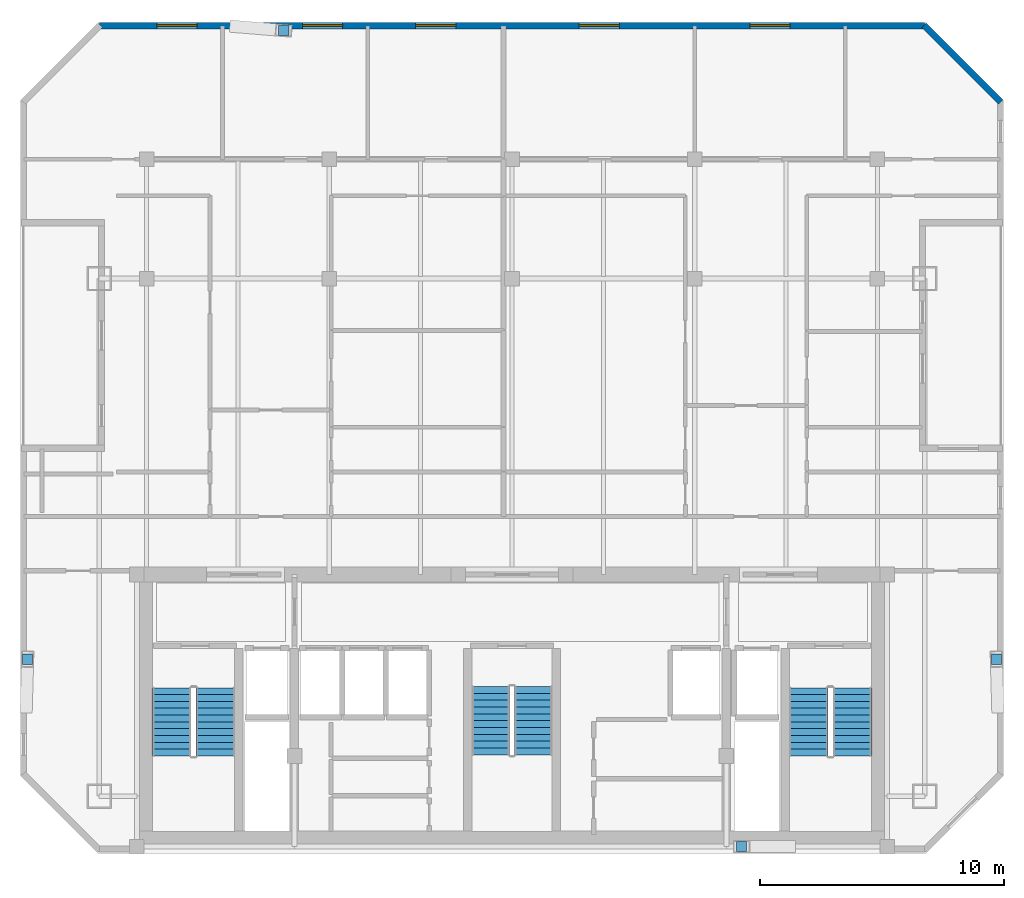
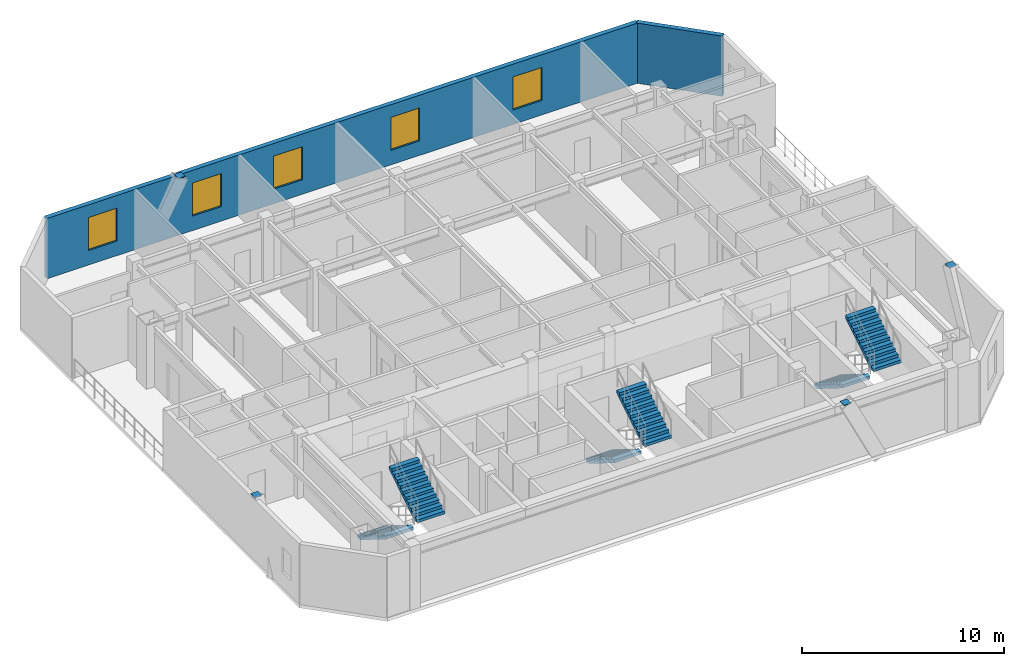
# One storey, part 6 of 7: 6 stair flights, 5 windows, 4 discrete accessories, 2 walls, 5 openings, 3 elements without a shape of their own.
"""IFC4 building model written with IfcOpenShell, lengths in metres."""

from ifc_helpers import new_model, si_unit, direction, frame, frame_2d, origin, origin_2d, place, context, subcontext, project, spatial, polyline, rectangle, outline, extrude, material, layer, layer_set, type_object, element, fill, aggregate, save


model = new_model("IFC4")

# Units and contexts
model_context = context("Model", 3, precision=1e-05, world=origin(), true_north=direction((0.0, 1.0)))
body_context = subcontext(model_context, "Body", "Model", "MODEL_VIEW")
ifc_project = project(units=[si_unit("LENGTHUNIT", "METRE"), si_unit("AREAUNIT", "SQUARE_METRE"), si_unit("VOLUMEUNIT", "CUBIC_METRE"), si_unit("PLANEANGLEUNIT", "RADIAN"), si_unit("MASSUNIT", "GRAM", prefix="KILO")], contexts=[model_context])

# Site, building, storey
site_placement = place(None, origin())
site = spatial("IfcSite", under=ifc_project, at=site_placement, CompositionType="ELEMENT")
building_placement = place(site_placement, origin())
building = spatial("IfcBuilding", under=site, at=building_placement, Name="Ventersveld Concourse Tower", CompositionType="ELEMENT")
storey_placement = place(building_placement, frame((0.0, 0.0, 292.60009765625)))
storey = spatial("IfcBuildingStorey", under=building, at=storey_placement, Name="L72", CompositionType="ELEMENT", Elevation=292.60009765625)

# Wall
ifc_material_1 = material(Name="Precast concrete C45/55", Category="concrete")
ifc_layer = layer(ifc_material_1, 0.260009765625)
ifc_layer_set = layer_set([ifc_layer], Name="Precast concrete C45/55")
wall_type = type_object("IfcWallType", Name="WL-PREC-260", PredefinedType="SOLIDWALL", material=ifc_layer_set)
wall_1_placement = place(storey_placement, frame((48.8134765625, 30.85205078125, 0.0), z_axis=(0.0, 0.0, 1.0), x_axis=(-0.707134240044, 0.707079321262, 0.0)))
element("IfcWall", 1, at=wall_1_placement, inside=storey, type_object=wall_type, Name="L72 Highveld Precast Facade Wall E08", PredefinedType="SOLIDWALL", context=body_context, shape_type="SweptSolid", body=[
    extrude(rectangle(XDim=4.445556640625, YDim=0.260009765625, at=frame_2d((2.22265625, 0.0))), origin(), (0.0, 0.0, 1.0), 3.64990234375),
])

# Wall, openings, windows
wall_2_placement = place(storey_placement, frame((45.693603515625, 33.985595703125, 0.0), z_axis=(0.0, 0.0, 1.0), x_axis=(-1.0, 0.0, 0.0)))
wall_2 = element("IfcWall", 2, at=wall_2_placement, inside=storey, type_object=wall_type, Name="L72 Highveld Precast Facade Wall E09", PredefinedType="SOLIDWALL", context=body_context, shape_type="SweptSolid", body=[
    extrude(rectangle(XDim=33.88720703125, YDim=0.260009765625, at=frame_2d((16.943603515625, 0.0))), origin(), (0.0, 0.0, 1.0), 3.64990234375),
])
opening_1_placement = place(wall_2_placement, frame((29.868408203125, 0.0, 0.8798828125)))
opening_1 = element("IfcOpeningElement", 3, at=opening_1_placement, cuts=wall_2, Name="Opening W6", PredefinedType="OPENING", context=body_context, shape_type="SweptSolid", body=[
    extrude(rectangle(XDim=1.64990234375, YDim=2.0, at=frame_2d((0.824951171875, 1.0))), frame((0.0, 0.14013671875, 0.0), z_axis=(0.0, -1.0, 0.0), x_axis=(1.0, 0.0, 0.0)), (0.0, 0.0, 1.0), 0.280029296875),
])
opening_2_placement = place(wall_2_placement, frame((23.8935546875, 0.0, 0.8798828125)))
opening_2 = element("IfcOpeningElement", 4, at=opening_2_placement, cuts=wall_2, Name="Opening W6", PredefinedType="OPENING", context=body_context, shape_type="SweptSolid", body=[
    extrude(rectangle(XDim=1.64990234375, YDim=2.0, at=frame_2d((0.824951171875, 1.0))), frame((0.0, 0.14013671875, 0.0), z_axis=(0.0, -1.0, 0.0), x_axis=(1.0, 0.0, 0.0)), (0.0, 0.0, 1.0), 0.280029296875),
])
opening_3_placement = place(wall_2_placement, frame((19.25048828125, 0.0, 0.8798828125)))
opening_3 = element("IfcOpeningElement", 5, at=opening_3_placement, cuts=wall_2, Name="Opening W6", PredefinedType="OPENING", context=body_context, shape_type="SweptSolid", body=[
    extrude(rectangle(XDim=1.64990234375, YDim=2.0, at=frame_2d((0.824951171875, 1.0))), frame((0.0, 0.14013671875, 0.0), z_axis=(0.0, -1.0, 0.0), x_axis=(1.0, 0.0, 0.0)), (0.0, 0.0, 1.0), 0.280029296875),
])
opening_4_placement = place(wall_2_placement, frame((12.539794921875, 0.0, 0.8798828125)))
opening_4 = element("IfcOpeningElement", 6, at=opening_4_placement, cuts=wall_2, Name="Opening W6", PredefinedType="OPENING", context=body_context, shape_type="SweptSolid", body=[
    extrude(rectangle(XDim=1.64990234375, YDim=2.0, at=frame_2d((0.824951171875, 1.0))), frame((0.0, 0.14013671875, 0.0), z_axis=(0.0, -1.0, 0.0), x_axis=(1.0, 0.0, 0.0)), (0.0, 0.0, 1.0), 0.280029296875),
])
opening_5_placement = place(wall_2_placement, frame((5.529296875, 0.0, 0.8798828125)))
opening_5 = element("IfcOpeningElement", 7, at=opening_5_placement, cuts=wall_2, Name="Opening W6", PredefinedType="OPENING", context=body_context, shape_type="SweptSolid", body=[
    extrude(rectangle(XDim=1.64990234375, YDim=2.0, at=frame_2d((0.824951171875, 1.0))), frame((0.0, 0.14013671875, 0.0), z_axis=(0.0, -1.0, 0.0), x_axis=(1.0, 0.0, 0.0)), (0.0, 0.0, 1.0), 0.280029296875),
])
ifc_material_2 = material(Name="Tempered acoustic Low-E IGU", Category="glass")
window_type = type_object("IfcWindowType", Name="WIN-165x200", PartitioningType="SINGLE_PANEL", PredefinedType="WINDOW", material=ifc_material_2)
window_1_placement = place(opening_1_placement, origin())
window_1 = element("IfcWindow", 8, at=window_1_placement, inside=storey, type_object=window_type, Name="L72 Punched Low-E Window W-1026", OverallHeight=2.0, OverallWidth=1.64990234375, PartitioningType="SINGLE_PANEL", PredefinedType="WINDOW", context=body_context, shape_type="SweptSolid", body=[
    extrude(rectangle(XDim=1.64990234375, YDim=2.0, at=frame_2d((0.824951171875, 1.0))), frame((0.0, 0.030029296875, 0.0), z_axis=(0.0, -1.0, 0.0), x_axis=(1.0, 0.0, 0.0)), (0.0, 0.0, 1.0), 0.06005859375),
])
fill(opening_1, window_1)
window_2_placement = place(opening_2_placement, origin())
window_2 = element("IfcWindow", 9, at=window_2_placement, inside=storey, type_object=window_type, Name="L72 Punched Low-E Window W-1027", OverallHeight=2.0, OverallWidth=1.64990234375, PartitioningType="SINGLE_PANEL", PredefinedType="WINDOW", context=body_context, shape_type="SweptSolid", body=[
    extrude(rectangle(XDim=1.64990234375, YDim=2.0, at=frame_2d((0.824951171875, 1.0))), frame((0.0, 0.030029296875, 0.0), z_axis=(0.0, -1.0, 0.0), x_axis=(1.0, 0.0, 0.0)), (0.0, 0.0, 1.0), 0.06005859375),
])
fill(opening_2, window_2)
window_3_placement = place(opening_3_placement, origin())
window_3 = element("IfcWindow", 10, at=window_3_placement, inside=storey, type_object=window_type, Name="L72 Punched Low-E Window W-1028", OverallHeight=2.0, OverallWidth=1.64990234375, PartitioningType="SINGLE_PANEL", PredefinedType="WINDOW", context=body_context, shape_type="SweptSolid", body=[
    extrude(rectangle(XDim=1.64990234375, YDim=2.0, at=frame_2d((0.824951171875, 1.0))), frame((0.0, 0.030029296875, 0.0), z_axis=(0.0, -1.0, 0.0), x_axis=(1.0, 0.0, 0.0)), (0.0, 0.0, 1.0), 0.06005859375),
])
fill(opening_3, window_3)
window_4_placement = place(opening_4_placement, origin())
window_4 = element("IfcWindow", 11, at=window_4_placement, inside=storey, type_object=window_type, Name="L72 Punched Low-E Window W-1032", OverallHeight=2.0, OverallWidth=1.64990234375, PartitioningType="SINGLE_PANEL", PredefinedType="WINDOW", context=body_context, shape_type="SweptSolid", body=[
    extrude(rectangle(XDim=1.64990234375, YDim=2.0, at=frame_2d((0.824951171875, 1.0))), frame((0.0, 0.030029296875, 0.0), z_axis=(0.0, -1.0, 0.0), x_axis=(1.0, 0.0, 0.0)), (0.0, 0.0, 1.0), 0.06005859375),
])
fill(opening_4, window_4)
window_5_placement = place(opening_5_placement, origin())
window_5 = element("IfcWindow", 12, at=window_5_placement, inside=storey, type_object=window_type, Name="L72 Punched Low-E Window W-1033", OverallHeight=2.0, OverallWidth=1.64990234375, PartitioningType="SINGLE_PANEL", PredefinedType="WINDOW", context=body_context, shape_type="SweptSolid", body=[
    extrude(rectangle(XDim=1.64990234375, YDim=2.0, at=frame_2d((0.824951171875, 1.0))), frame((0.0, 0.030029296875, 0.0), z_axis=(0.0, -1.0, 0.0), x_axis=(1.0, 0.0, 0.0)), (0.0, 0.0, 1.0), 0.06005859375),
])
fill(opening_5, window_5)

# Stair, stair flights
ifc_material_3 = material(Name="Concrete C50/60", Category="concrete")
stair_type_1 = type_object("IfcStairType", Name="ST-DOG-155", PredefinedType="HALF_TURN_STAIR", material=ifc_material_3)
stair_1_placement = place(storey_placement, origin())
stair_1 = element("IfcStair", 13, at=stair_1_placement, inside=storey, type_object=stair_type_1, Name="L72 Protected Central Core Escape Stair ST-03", PredefinedType="HALF_TURN_STAIR")
stair_flight_type_1 = type_object("IfcStairFlightType", Name="STF-RC-155", PredefinedType="STRAIGHT", material=ifc_material_3)
stair_flight_1_placement = place(storey_placement, frame((27.875, 6.85009765625, 0.0), z_axis=(0.0, 0.0, 1.0), x_axis=(0.0, -1.0, 0.0)))
stair_flight_1 = element("IfcStairFlight", 14, at=stair_flight_1_placement, type_object=stair_flight_type_1, Name="ST-03 flight 1", NumberOfRisers=11, NumberOfTreads=10, PredefinedType="STRAIGHT", RiserHeight=0.175, TreadLength=0.28, context=body_context, shape_type="SweptSolid", body=[
    extrude(outline(polyline([(0.0, 0.0), (0.0, 0.175048828125), (0.280029296875, 0.175048828125), (0.280029296875, 0.35009765625), (0.56005859375, 0.35009765625), (0.56005859375, 0.52490234375), (0.840087890625, 0.52490234375), (0.840087890625, 0.699951171875), (1.1201171875, 0.699951171875), (1.1201171875, 0.875), (1.39990234375, 0.875), (1.39990234375, 1.050048828125), (1.679931640625, 1.050048828125), (1.679931640625, 1.22509765625), (1.9599609375, 1.22509765625), (1.9599609375, 1.39990234375), (2.239990234375, 1.39990234375), (2.239990234375, 1.574951171875), (2.52001953125, 1.574951171875), (2.52001953125, 1.75), (2.800048828125, 1.75), (2.800048828125, 1.925048828125), (2.800048828125, 1.5732421875), (0.28271484375, 0.0), (0.0, 0.0)])), frame((0.0, 0.77490234375, 0.0), z_axis=(0.0, -1.0, 0.0), x_axis=(1.0, 0.0, 0.0)), (0.0, 0.0, 1.0), 1.550048828125),
])
stair_flight_2_placement = place(storey_placement, frame((29.625, 4.050048828125, 1.9248046875), z_axis=(0.0, 0.0, 1.0), x_axis=(0.0, 1.0, 0.0)))
stair_flight_2 = element("IfcStairFlight", 15, at=stair_flight_2_placement, type_object=stair_flight_type_1, Name="ST-03 flight 2", NumberOfRisers=11, NumberOfTreads=10, PredefinedType="STRAIGHT", RiserHeight=0.175, TreadLength=0.28, context=body_context, shape_type="SweptSolid", body=[
    extrude(outline(polyline([(0.0, 0.0), (0.0, 0.175048828125), (0.280029296875, 0.175048828125), (0.280029296875, 0.35009765625), (0.56005859375, 0.35009765625), (0.56005859375, 0.52490234375), (0.840087890625, 0.52490234375), (0.840087890625, 0.699951171875), (1.1201171875, 0.699951171875), (1.1201171875, 0.875), (1.39990234375, 0.875), (1.39990234375, 1.050048828125), (1.679931640625, 1.050048828125), (1.679931640625, 1.22509765625), (1.9599609375, 1.22509765625), (1.9599609375, 1.39990234375), (2.239990234375, 1.39990234375), (2.239990234375, 1.574951171875), (2.52001953125, 1.574951171875), (2.52001953125, 1.75), (2.800048828125, 1.75), (2.800048828125, 1.925048828125), (2.800048828125, 1.5732421875), (0.28271484375, 0.0), (0.0, 0.0)])), frame((0.0, 0.77490234375, 0.0), z_axis=(0.0, -1.0, 0.0), x_axis=(1.0, 0.0, 0.0)), (0.0, 0.0, 1.0), 1.550048828125),
])
aggregate(stair_1, [stair_flight_1, stair_flight_2])

stair_type_2 = type_object("IfcStairType", Name="ST-DOG-160", PredefinedType="HALF_TURN_STAIR", material=ifc_material_3)
stair_2_placement = place(storey_placement, origin())
stair_2 = element("IfcStair", 16, at=stair_2_placement, inside=storey, type_object=stair_type_2, Name="L72 Protected Tower Escape Stair ST-01", PredefinedType="HALF_TURN_STAIR")
stair_flight_type_2 = type_object("IfcStairFlightType", Name="STF-RC-160", PredefinedType="STRAIGHT", material=ifc_material_3)
stair_flight_3_placement = place(storey_placement, frame((14.780029296875, 6.800048828125, 0.0), z_axis=(0.0, 0.0, 1.0), x_axis=(0.0, -1.0, 0.0)))
stair_flight_3 = element("IfcStairFlight", 17, at=stair_flight_3_placement, type_object=stair_flight_type_2, Name="ST-01 flight 1", NumberOfRisers=11, NumberOfTreads=10, PredefinedType="STRAIGHT", RiserHeight=0.175, TreadLength=0.28, context=body_context, shape_type="SweptSolid", body=[
    extrude(outline(polyline([(0.0, 0.0), (0.0, 0.175048828125), (0.280029296875, 0.175048828125), (0.280029296875, 0.35009765625), (0.56005859375, 0.35009765625), (0.56005859375, 0.52490234375), (0.840087890625, 0.52490234375), (0.840087890625, 0.699951171875), (1.1201171875, 0.699951171875), (1.1201171875, 0.875), (1.39990234375, 0.875), (1.39990234375, 1.050048828125), (1.679931640625, 1.050048828125), (1.679931640625, 1.22509765625), (1.9599609375, 1.22509765625), (1.9599609375, 1.39990234375), (2.239990234375, 1.39990234375), (2.239990234375, 1.574951171875), (2.52001953125, 1.574951171875), (2.52001953125, 1.75), (2.800048828125, 1.75), (2.800048828125, 1.925048828125), (2.800048828125, 1.5732421875), (0.28271484375, 0.0), (0.0, 0.0)])), frame((0.0, 0.800048828125, 0.0), z_axis=(0.0, -1.0, 0.0), x_axis=(1.0, 0.0, 0.0)), (0.0, 0.0, 1.0), 1.60009765625),
])
stair_flight_4_placement = place(storey_placement, frame((16.580078125, 4.0, 1.9248046875), z_axis=(0.0, 0.0, 1.0), x_axis=(0.0, 1.0, 0.0)))
stair_flight_4 = element("IfcStairFlight", 18, at=stair_flight_4_placement, type_object=stair_flight_type_2, Name="ST-01 flight 2", NumberOfRisers=11, NumberOfTreads=10, PredefinedType="STRAIGHT", RiserHeight=0.175, TreadLength=0.28, context=body_context, shape_type="SweptSolid", body=[
    extrude(outline(polyline([(0.0, 0.0), (0.0, 0.175048828125), (0.280029296875, 0.175048828125), (0.280029296875, 0.35009765625), (0.56005859375, 0.35009765625), (0.56005859375, 0.52490234375), (0.840087890625, 0.52490234375), (0.840087890625, 0.699951171875), (1.1201171875, 0.699951171875), (1.1201171875, 0.875), (1.39990234375, 0.875), (1.39990234375, 1.050048828125), (1.679931640625, 1.050048828125), (1.679931640625, 1.22509765625), (1.9599609375, 1.22509765625), (1.9599609375, 1.39990234375), (2.239990234375, 1.39990234375), (2.239990234375, 1.574951171875), (2.52001953125, 1.574951171875), (2.52001953125, 1.75), (2.800048828125, 1.75), (2.800048828125, 1.925048828125), (2.800048828125, 1.5732421875), (0.28271484375, 0.0), (0.0, 0.0)])), frame((0.0, 0.800048828125, 0.0), z_axis=(0.0, -1.0, 0.0), x_axis=(1.0, 0.0, 0.0)), (0.0, 0.0, 1.0), 1.60009765625),
])
aggregate(stair_2, [stair_flight_3, stair_flight_4])

stair_3_placement = place(storey_placement, origin())
stair_3 = element("IfcStair", 19, at=stair_3_placement, inside=storey, type_object=stair_type_2, Name="L72 Protected Tower Escape Stair ST-02", PredefinedType="HALF_TURN_STAIR")
stair_flight_5_placement = place(storey_placement, frame((40.919921875, 6.800048828125, 0.0), z_axis=(0.0, 0.0, 1.0), x_axis=(0.0, -1.0, 0.0)))
stair_flight_5 = element("IfcStairFlight", 20, at=stair_flight_5_placement, type_object=stair_flight_type_2, Name="ST-02 flight 1", NumberOfRisers=11, NumberOfTreads=10, PredefinedType="STRAIGHT", RiserHeight=0.175, TreadLength=0.28, context=body_context, shape_type="SweptSolid", body=[
    extrude(outline(polyline([(0.0, 0.0), (0.0, 0.175048828125), (0.280029296875, 0.175048828125), (0.280029296875, 0.35009765625), (0.56005859375, 0.35009765625), (0.56005859375, 0.52490234375), (0.840087890625, 0.52490234375), (0.840087890625, 0.699951171875), (1.1201171875, 0.699951171875), (1.1201171875, 0.875), (1.39990234375, 0.875), (1.39990234375, 1.050048828125), (1.679931640625, 1.050048828125), (1.679931640625, 1.22509765625), (1.9599609375, 1.22509765625), (1.9599609375, 1.39990234375), (2.239990234375, 1.39990234375), (2.239990234375, 1.574951171875), (2.52001953125, 1.574951171875), (2.52001953125, 1.75), (2.800048828125, 1.75), (2.800048828125, 1.925048828125), (2.800048828125, 1.5732421875), (0.28271484375, 0.0), (0.0, 0.0)])), frame((0.0, 0.800048828125, 0.0), z_axis=(0.0, -1.0, 0.0), x_axis=(1.0, 0.0, 0.0)), (0.0, 0.0, 1.0), 1.60009765625),
])
stair_flight_6_placement = place(storey_placement, frame((42.719970703125, 4.0, 1.9248046875), z_axis=(0.0, 0.0, 1.0), x_axis=(0.0, 1.0, 0.0)))
stair_flight_6 = element("IfcStairFlight", 21, at=stair_flight_6_placement, type_object=stair_flight_type_2, Name="ST-02 flight 2", NumberOfRisers=11, NumberOfTreads=10, PredefinedType="STRAIGHT", RiserHeight=0.175, TreadLength=0.28, context=body_context, shape_type="SweptSolid", body=[
    extrude(outline(polyline([(0.0, 0.0), (0.0, 0.175048828125), (0.280029296875, 0.175048828125), (0.280029296875, 0.35009765625), (0.56005859375, 0.35009765625), (0.56005859375, 0.52490234375), (0.840087890625, 0.52490234375), (0.840087890625, 0.699951171875), (1.1201171875, 0.699951171875), (1.1201171875, 0.875), (1.39990234375, 0.875), (1.39990234375, 1.050048828125), (1.679931640625, 1.050048828125), (1.679931640625, 1.22509765625), (1.9599609375, 1.22509765625), (1.9599609375, 1.39990234375), (2.239990234375, 1.39990234375), (2.239990234375, 1.574951171875), (2.52001953125, 1.574951171875), (2.52001953125, 1.75), (2.800048828125, 1.75), (2.800048828125, 1.925048828125), (2.800048828125, 1.5732421875), (0.28271484375, 0.0), (0.0, 0.0)])), frame((0.0, 0.800048828125, 0.0), z_axis=(0.0, -1.0, 0.0), x_axis=(1.0, 0.0, 0.0)), (0.0, 0.0, 1.0), 1.60009765625),
])
aggregate(stair_3, [stair_flight_5, stair_flight_6])

# Discrete accessories
ifc_material_4 = material(Name="Structural steel S355J2", Category="steel")
discrete_accessory_type = type_object("IfcDiscreteAccessoryType", Name="CONN-BRACE-ECP1", PredefinedType="BRACKET", material=ifc_material_4)
for number, where, z_axis, x_axis, name in (
    (22, (19.375, 33.7841796875, 3.6298828125), (0.0, 0.0, 1.0), (1.0, 0.0, 0.0), "L72 Steel Brace End Connection Plate ECP1-0470"),
    (23, (38.175048828125, 0.280029296875, 3.6298828125), (0.0, 0.0, 1.0), (1.0, 0.0, 0.0), "L72 Steel Brace End Connection Plate ECP1-0474"),
    (24, (8.8642578125, 7.97509765625, 3.6298828125), (0.0, 0.0, 1.0), (1.0, 0.0, 0.0), "L72 Steel Brace End Connection Plate ECP1-0478"),
    (25, (48.6357421875, 7.97509765625, 3.6298828125), (0.0, 0.0, 1.0), (1.0, 0.0, 0.0), "L72 Steel Brace End Connection Plate ECP1-0482"),
):
    element("IfcDiscreteAccessory", number, at=place(storey_placement, frame(where, z_axis=z_axis, x_axis=x_axis)), inside=storey, type_object=discrete_accessory_type, Name=name, PredefinedType="BRACKET", context=body_context, shape_type="SweptSolid", body=[
        extrude(rectangle(XDim=0.419921875, YDim=0.419921875, at=origin_2d()), origin(), (0.0, 0.0, 1.0), 0.0400390625),
    ])

save(model, "model.ifc")
